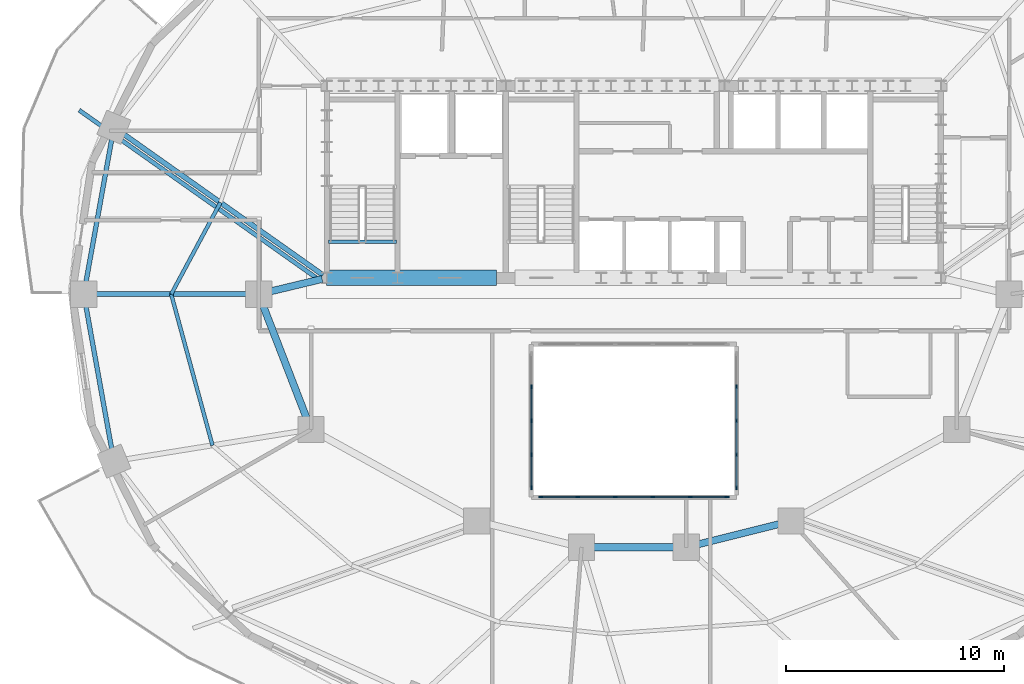
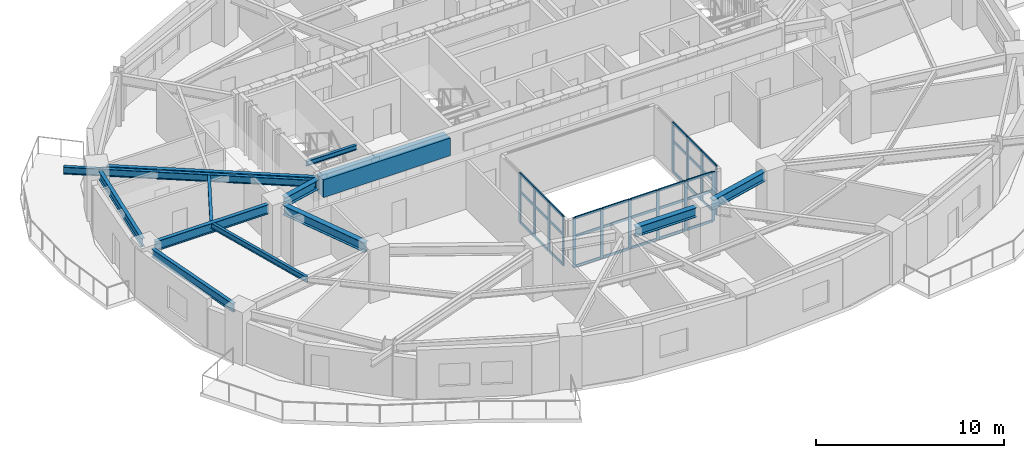
# One storey, part 2 of 13: 47 members, 13 beams, 3 elements without a shape of their own.
"""IFC4 building model written with IfcOpenShell, lengths in metres."""

from ifc_helpers import new_model, si_unit, direction, frame, origin, origin_2d, place, context, subcontext, project, spatial, rectangle, i_section, extrude, material, material_profile, profile_set, type_object, element, aggregate, save


model = new_model("IFC4")

# Units and contexts
model_context = context("Model", 3, precision=1e-05, world=origin(), true_north=direction((0.0, 1.0)))
body_context = subcontext(model_context, "Body", "Model", "MODEL_VIEW")
ifc_project = project(units=[si_unit("LENGTHUNIT", "METRE"), si_unit("AREAUNIT", "SQUARE_METRE"), si_unit("VOLUMEUNIT", "CUBIC_METRE"), si_unit("PLANEANGLEUNIT", "RADIAN"), si_unit("MASSUNIT", "GRAM", prefix="KILO")], contexts=[model_context])

# Site, building, storey
site_placement = place(None, origin())
site = spatial("IfcSite", under=ifc_project, at=site_placement, CompositionType="ELEMENT")
building_placement = place(site_placement, origin())
building = spatial("IfcBuilding", under=site, at=building_placement, Name="Haldorwick Loom Tower", CompositionType="ELEMENT")
storey_placement = place(building_placement, frame((0.0, 0.0, 135.64990234375)))
storey = spatial("IfcBuildingStorey", under=building, at=storey_placement, Name="L36", CompositionType="ELEMENT", Elevation=135.64990234375)

# Curtain wall, members
ifc_material_1 = material(Name="Thermally Broken Anodized Aluminium Curtain Wall Framing", Category="aluminium")
curtain_wall_type = type_object("IfcCurtainWallType", Name="ARC-CW-03", PredefinedType="NOTDEFINED", material=ifc_material_1)
curtain_wall_1_placement = place(storey_placement, origin())
curtain_wall_1 = element("IfcCurtainWall", 1, at=curtain_wall_1_placement, inside=storey, type_object=curtain_wall_type, Name="L36 Atrium Glazed Screen S", PredefinedType="NOTDEFINED")
ifc_material_profile_1 = material_profile(ifc_material_1, rectangle(XDim=0.06591796875, YDim=0.18505859375, at=origin_2d()), Name="ALU_MUL_66X185", Category="aluminium")
ifc_profile_set_1 = profile_set([ifc_material_profile_1], Name="Thermally Broken Anodized Aluminium Curtain Wall Framing")
member_type_1 = type_object("IfcMemberType", Name="ARC-CWM-03", PredefinedType="MULLION", material=ifc_profile_set_1)
member_1_placement = place(storey_placement, frame((40.26708984375, 16.699951171875, 0.0), z_axis=(0.0, 0.0, 1.0), x_axis=(0.0, -1.0, 0.0)))
member_1 = element("IfcMember", 2, at=member_1_placement, type_object=member_type_1, Name="CW-03 mullion 1", PredefinedType="MULLION", context=body_context, shape_type="SweptSolid", body=[
    extrude(rectangle(XDim=0.06591796875, YDim=0.18505859375, at=origin_2d()), origin(), (0.0, 0.0, 1.0), 3.210205078125),
])
member_2_placement = place(storey_placement, frame((38.580078125, 16.699951171875, 0.0), z_axis=(0.0, 0.0, 1.0), x_axis=(0.0, -1.0, 0.0)))
member_2 = element("IfcMember", 3, at=member_2_placement, type_object=member_type_1, Name="CW-03 mullion 2", PredefinedType="MULLION", context=body_context, shape_type="SweptSolid", body=[
    extrude(rectangle(XDim=0.06591796875, YDim=0.18505859375, at=origin_2d()), origin(), (0.0, 0.0, 1.0), 3.210205078125),
])
member_3_placement = place(storey_placement, frame((36.860107421875, 16.699951171875, 0.0), z_axis=(0.0, 0.0, 1.0), x_axis=(0.0, -1.0, 0.0)))
member_3 = element("IfcMember", 4, at=member_3_placement, type_object=member_type_1, Name="CW-03 mullion 3", PredefinedType="MULLION", context=body_context, shape_type="SweptSolid", body=[
    extrude(rectangle(XDim=0.06591796875, YDim=0.18505859375, at=origin_2d()), origin(), (0.0, 0.0, 1.0), 3.210205078125),
])
member_4_placement = place(storey_placement, frame((35.139892578125, 16.699951171875, 0.0), z_axis=(0.0, 0.0, 1.0), x_axis=(0.0, -1.0, 0.0)))
member_4 = element("IfcMember", 5, at=member_4_placement, type_object=member_type_1, Name="CW-03 mullion 4", PredefinedType="MULLION", context=body_context, shape_type="SweptSolid", body=[
    extrude(rectangle(XDim=0.06591796875, YDim=0.18505859375, at=origin_2d()), origin(), (0.0, 0.0, 1.0), 3.210205078125),
])
member_5_placement = place(storey_placement, frame((33.419921875, 16.699951171875, 0.0), z_axis=(0.0, 0.0, 1.0), x_axis=(0.0, -1.0, 0.0)))
member_5 = element("IfcMember", 6, at=member_5_placement, type_object=member_type_1, Name="CW-03 mullion 5", PredefinedType="MULLION", context=body_context, shape_type="SweptSolid", body=[
    extrude(rectangle(XDim=0.06591796875, YDim=0.18505859375, at=origin_2d()), origin(), (0.0, 0.0, 1.0), 3.210205078125),
])
member_6_placement = place(storey_placement, frame((31.73291015625, 16.699951171875, 0.0), z_axis=(0.0, 0.0, 1.0), x_axis=(0.0, -1.0, 0.0)))
member_6 = element("IfcMember", 7, at=member_6_placement, type_object=member_type_1, Name="CW-03 mullion 6", PredefinedType="MULLION", context=body_context, shape_type="SweptSolid", body=[
    extrude(rectangle(XDim=0.06591796875, YDim=0.18505859375, at=origin_2d()), origin(), (0.0, 0.0, 1.0), 3.210205078125),
])

curtain_wall_2_placement = place(storey_placement, origin())
curtain_wall_2 = element("IfcCurtainWall", 8, at=curtain_wall_2_placement, inside=storey, type_object=curtain_wall_type, Name="L36 Atrium Glazed Screen W", PredefinedType="NOTDEFINED")
member_7_placement = place(storey_placement, frame((31.300048828125, 17.133056640625, 0.0), z_axis=(0.0, 0.0, 1.0), x_axis=(-1.0, 0.0, 0.0)))
member_7 = element("IfcMember", 9, at=member_7_placement, type_object=member_type_1, Name="CW-03 mullion 1", PredefinedType="MULLION", context=body_context, shape_type="SweptSolid", body=[
    extrude(rectangle(XDim=0.06591796875, YDim=0.18505859375, at=origin_2d()), origin(), (0.0, 0.0, 1.0), 3.210205078125),
])
member_8_placement = place(storey_placement, frame((31.300048828125, 18.64990234375, 0.0), z_axis=(0.0, 0.0, 1.0), x_axis=(-1.0, 0.0, 0.0)))
member_8 = element("IfcMember", 10, at=member_8_placement, type_object=member_type_1, Name="CW-03 mullion 2", PredefinedType="MULLION", context=body_context, shape_type="SweptSolid", body=[
    extrude(rectangle(XDim=0.06591796875, YDim=0.18505859375, at=origin_2d()), origin(), (0.0, 0.0, 1.0), 3.210205078125),
])
member_9_placement = place(storey_placement, frame((31.300048828125, 20.199951171875, 0.0), z_axis=(0.0, 0.0, 1.0), x_axis=(-1.0, 0.0, 0.0)))
member_9 = element("IfcMember", 11, at=member_9_placement, type_object=member_type_1, Name="CW-03 mullion 3", PredefinedType="MULLION", context=body_context, shape_type="SweptSolid", body=[
    extrude(rectangle(XDim=0.06591796875, YDim=0.18505859375, at=origin_2d()), origin(), (0.0, 0.0, 1.0), 3.210205078125),
])
member_10_placement = place(storey_placement, frame((31.300048828125, 21.75, 0.0), z_axis=(0.0, 0.0, 1.0), x_axis=(-1.0, 0.0, 0.0)))
member_10 = element("IfcMember", 12, at=member_10_placement, type_object=member_type_1, Name="CW-03 mullion 4", PredefinedType="MULLION", context=body_context, shape_type="SweptSolid", body=[
    extrude(rectangle(XDim=0.06591796875, YDim=0.18505859375, at=origin_2d()), origin(), (0.0, 0.0, 1.0), 3.210205078125),
])

curtain_wall_3_placement = place(storey_placement, origin())
curtain_wall_3 = element("IfcCurtainWall", 13, at=curtain_wall_3_placement, inside=storey, type_object=curtain_wall_type, Name="L36 Atrium Glazed Screen E", PredefinedType="NOTDEFINED")
member_11_placement = place(storey_placement, frame((40.699951171875, 21.75, 0.0), z_axis=(0.0, 0.0, 1.0), x_axis=(1.0, 0.0, 0.0)))
member_11 = element("IfcMember", 14, at=member_11_placement, type_object=member_type_1, Name="CW-03 mullion 2", PredefinedType="MULLION", context=body_context, shape_type="SweptSolid", body=[
    extrude(rectangle(XDim=0.06591796875, YDim=0.18505859375, at=origin_2d()), origin(), (0.0, 0.0, 1.0), 3.210205078125),
])
member_12_placement = place(storey_placement, frame((40.699951171875, 20.199951171875, 0.0), z_axis=(0.0, 0.0, 1.0), x_axis=(1.0, 0.0, 0.0)))
member_12 = element("IfcMember", 15, at=member_12_placement, type_object=member_type_1, Name="CW-03 mullion 3", PredefinedType="MULLION", context=body_context, shape_type="SweptSolid", body=[
    extrude(rectangle(XDim=0.06591796875, YDim=0.18505859375, at=origin_2d()), origin(), (0.0, 0.0, 1.0), 3.210205078125),
])
member_13_placement = place(storey_placement, frame((40.699951171875, 18.64990234375, 0.0), z_axis=(0.0, 0.0, 1.0), x_axis=(1.0, 0.0, 0.0)))
member_13 = element("IfcMember", 16, at=member_13_placement, type_object=member_type_1, Name="CW-03 mullion 4", PredefinedType="MULLION", context=body_context, shape_type="SweptSolid", body=[
    extrude(rectangle(XDim=0.06591796875, YDim=0.18505859375, at=origin_2d()), origin(), (0.0, 0.0, 1.0), 3.210205078125),
])
member_14_placement = place(storey_placement, frame((40.699951171875, 17.133056640625, 0.0), z_axis=(0.0, 0.0, 1.0), x_axis=(1.0, 0.0, 0.0)))
member_14 = element("IfcMember", 17, at=member_14_placement, type_object=member_type_1, Name="CW-03 mullion 5", PredefinedType="MULLION", context=body_context, shape_type="SweptSolid", body=[
    extrude(rectangle(XDim=0.06591796875, YDim=0.18505859375, at=origin_2d()), origin(), (0.0, 0.0, 1.0), 3.210205078125),
])

# Member
ifc_material_profile_2 = material_profile(ifc_material_1, rectangle(XDim=0.06591796875, YDim=0.1650390625, at=origin_2d()), Name="ALU_TRN_66X165", Category="aluminium")
ifc_profile_set_2 = profile_set([ifc_material_profile_2], Name="Thermally Broken Anodized Aluminium Curtain Wall Framing")
member_type_2 = type_object("IfcMemberType", Name="ARC-CWT-03", PredefinedType="USERDEFINED", material=ifc_profile_set_2)
member_15_placement = place(storey_placement, frame((40.23388671875, 16.699951171875, 0.033203125), z_axis=(-1.0, 0.0, 0.0), x_axis=(0.0, -1.0, 0.0)))
member_15 = element("IfcMember", 18, at=member_15_placement, type_object=member_type_2, Name="CW-03 transom 1.1", ObjectType="TRANSOM", PredefinedType="USERDEFINED", context=body_context, shape_type="SweptSolid", body=[
    extrude(rectangle(XDim=0.06591796875, YDim=0.1650390625, at=origin_2d()), origin(), (0.0, 0.0, 1.0), 1.620849609375),
])

member_16_placement = place(storey_placement, frame((40.23388671875, 16.699951171875, 2.0), z_axis=(-1.0, 0.0, 0.0), x_axis=(0.0, -1.0, 0.0)))
member_16 = element("IfcMember", 19, at=member_16_placement, type_object=member_type_2, Name="CW-03 transom 1.2", ObjectType="TRANSOM", PredefinedType="USERDEFINED", context=body_context, shape_type="SweptSolid", body=[
    extrude(rectangle(XDim=0.06591796875, YDim=0.1650390625, at=origin_2d()), origin(), (0.0, 0.0, 1.0), 1.620849609375),
])

member_17_placement = place(storey_placement, frame((40.23388671875, 16.699951171875, 3.177001953125), z_axis=(-1.0, 0.0, 0.0), x_axis=(0.0, -1.0, 0.0)))
member_17 = element("IfcMember", 20, at=member_17_placement, type_object=member_type_2, Name="CW-03 transom 1.3", ObjectType="TRANSOM", PredefinedType="USERDEFINED", context=body_context, shape_type="SweptSolid", body=[
    extrude(rectangle(XDim=0.06591796875, YDim=0.1650390625, at=origin_2d()), origin(), (0.0, 0.0, 1.0), 1.620849609375),
])

member_18_placement = place(storey_placement, frame((38.547119140625, 16.699951171875, 0.033203125), z_axis=(-1.0, 0.0, 0.0), x_axis=(0.0, -1.0, 0.0)))
member_18 = element("IfcMember", 21, at=member_18_placement, type_object=member_type_2, Name="CW-03 transom 2.1", ObjectType="TRANSOM", PredefinedType="USERDEFINED", context=body_context, shape_type="SweptSolid", body=[
    extrude(rectangle(XDim=0.06591796875, YDim=0.1650390625, at=origin_2d()), origin(), (0.0, 0.0, 1.0), 1.654052734375),
])

member_19_placement = place(storey_placement, frame((38.547119140625, 16.699951171875, 2.0), z_axis=(-1.0, 0.0, 0.0), x_axis=(0.0, -1.0, 0.0)))
member_19 = element("IfcMember", 22, at=member_19_placement, type_object=member_type_2, Name="CW-03 transom 2.2", ObjectType="TRANSOM", PredefinedType="USERDEFINED", context=body_context, shape_type="SweptSolid", body=[
    extrude(rectangle(XDim=0.06591796875, YDim=0.1650390625, at=origin_2d()), origin(), (0.0, 0.0, 1.0), 1.654052734375),
])

member_20_placement = place(storey_placement, frame((38.547119140625, 16.699951171875, 3.177001953125), z_axis=(-1.0, 0.0, 0.0), x_axis=(0.0, -1.0, 0.0)))
member_20 = element("IfcMember", 23, at=member_20_placement, type_object=member_type_2, Name="CW-03 transom 2.3", ObjectType="TRANSOM", PredefinedType="USERDEFINED", context=body_context, shape_type="SweptSolid", body=[
    extrude(rectangle(XDim=0.06591796875, YDim=0.1650390625, at=origin_2d()), origin(), (0.0, 0.0, 1.0), 1.654052734375),
])

member_21_placement = place(storey_placement, frame((36.826904296875, 16.699951171875, 0.033203125), z_axis=(-1.0, 0.0, 0.0), x_axis=(0.0, -1.0, 0.0)))
member_21 = element("IfcMember", 24, at=member_21_placement, type_object=member_type_2, Name="CW-03 transom 3.1", ObjectType="TRANSOM", PredefinedType="USERDEFINED", context=body_context, shape_type="SweptSolid", body=[
    extrude(rectangle(XDim=0.06591796875, YDim=0.1650390625, at=origin_2d()), origin(), (0.0, 0.0, 1.0), 1.65380859375),
])

member_22_placement = place(storey_placement, frame((36.826904296875, 16.699951171875, 2.0), z_axis=(-1.0, 0.0, 0.0), x_axis=(0.0, -1.0, 0.0)))
member_22 = element("IfcMember", 25, at=member_22_placement, type_object=member_type_2, Name="CW-03 transom 3.2", ObjectType="TRANSOM", PredefinedType="USERDEFINED", context=body_context, shape_type="SweptSolid", body=[
    extrude(rectangle(XDim=0.06591796875, YDim=0.1650390625, at=origin_2d()), origin(), (0.0, 0.0, 1.0), 1.65380859375),
])

member_23_placement = place(storey_placement, frame((36.826904296875, 16.699951171875, 3.177001953125), z_axis=(-1.0, 0.0, 0.0), x_axis=(0.0, -1.0, 0.0)))
member_23 = element("IfcMember", 26, at=member_23_placement, type_object=member_type_2, Name="CW-03 transom 3.3", ObjectType="TRANSOM", PredefinedType="USERDEFINED", context=body_context, shape_type="SweptSolid", body=[
    extrude(rectangle(XDim=0.06591796875, YDim=0.1650390625, at=origin_2d()), origin(), (0.0, 0.0, 1.0), 1.65380859375),
])

member_24_placement = place(storey_placement, frame((35.10693359375, 16.699951171875, 0.033203125), z_axis=(-1.0, 0.0, 0.0), x_axis=(0.0, -1.0, 0.0)))
member_24 = element("IfcMember", 27, at=member_24_placement, type_object=member_type_2, Name="CW-03 transom 4.1", ObjectType="TRANSOM", PredefinedType="USERDEFINED", context=body_context, shape_type="SweptSolid", body=[
    extrude(rectangle(XDim=0.06591796875, YDim=0.1650390625, at=origin_2d()), origin(), (0.0, 0.0, 1.0), 1.654052734375),
])

member_25_placement = place(storey_placement, frame((35.10693359375, 16.699951171875, 2.0), z_axis=(-1.0, 0.0, 0.0), x_axis=(0.0, -1.0, 0.0)))
member_25 = element("IfcMember", 28, at=member_25_placement, type_object=member_type_2, Name="CW-03 transom 4.2", ObjectType="TRANSOM", PredefinedType="USERDEFINED", context=body_context, shape_type="SweptSolid", body=[
    extrude(rectangle(XDim=0.06591796875, YDim=0.1650390625, at=origin_2d()), origin(), (0.0, 0.0, 1.0), 1.654052734375),
])

member_26_placement = place(storey_placement, frame((35.10693359375, 16.699951171875, 3.177001953125), z_axis=(-1.0, 0.0, 0.0), x_axis=(0.0, -1.0, 0.0)))
member_26 = element("IfcMember", 29, at=member_26_placement, type_object=member_type_2, Name="CW-03 transom 4.3", ObjectType="TRANSOM", PredefinedType="USERDEFINED", context=body_context, shape_type="SweptSolid", body=[
    extrude(rectangle(XDim=0.06591796875, YDim=0.1650390625, at=origin_2d()), origin(), (0.0, 0.0, 1.0), 1.654052734375),
])

member_27_placement = place(storey_placement, frame((33.386962890625, 16.699951171875, 0.033203125), z_axis=(-1.0, 0.0, 0.0), x_axis=(0.0, -1.0, 0.0)))
member_27 = element("IfcMember", 30, at=member_27_placement, type_object=member_type_2, Name="CW-03 transom 5.1", ObjectType="TRANSOM", PredefinedType="USERDEFINED", context=body_context, shape_type="SweptSolid", body=[
    extrude(rectangle(XDim=0.06591796875, YDim=0.1650390625, at=origin_2d()), origin(), (0.0, 0.0, 1.0), 1.620849609375),
])

member_28_placement = place(storey_placement, frame((33.386962890625, 16.699951171875, 2.0), z_axis=(-1.0, 0.0, 0.0), x_axis=(0.0, -1.0, 0.0)))
member_28 = element("IfcMember", 31, at=member_28_placement, type_object=member_type_2, Name="CW-03 transom 5.2", ObjectType="TRANSOM", PredefinedType="USERDEFINED", context=body_context, shape_type="SweptSolid", body=[
    extrude(rectangle(XDim=0.06591796875, YDim=0.1650390625, at=origin_2d()), origin(), (0.0, 0.0, 1.0), 1.620849609375),
])

member_29_placement = place(storey_placement, frame((33.386962890625, 16.699951171875, 3.177001953125), z_axis=(-1.0, 0.0, 0.0), x_axis=(0.0, -1.0, 0.0)))
member_29 = element("IfcMember", 32, at=member_29_placement, type_object=member_type_2, Name="CW-03 transom 5.3", ObjectType="TRANSOM", PredefinedType="USERDEFINED", context=body_context, shape_type="SweptSolid", body=[
    extrude(rectangle(XDim=0.06591796875, YDim=0.1650390625, at=origin_2d()), origin(), (0.0, 0.0, 1.0), 1.620849609375),
])

aggregate(curtain_wall_1, [member_1, member_2, member_3, member_4, member_5, member_6, member_15, member_16, member_17, member_18, member_19, member_20, member_21, member_22, member_23, member_24, member_25, member_26, member_27, member_28, member_29])

member_30_placement = place(storey_placement, frame((31.300048828125, 17.166015625, 0.033203125), z_axis=(0.0, 1.0, 0.0), x_axis=(-1.0, 0.0, 0.0)))
member_30 = element("IfcMember", 33, at=member_30_placement, type_object=member_type_2, Name="CW-03 transom 1.1", ObjectType="TRANSOM", PredefinedType="USERDEFINED", context=body_context, shape_type="SweptSolid", body=[
    extrude(rectangle(XDim=0.06591796875, YDim=0.1650390625, at=origin_2d()), origin(), (0.0, 0.0, 1.0), 1.450927734375),
])

member_31_placement = place(storey_placement, frame((31.300048828125, 17.166015625, 2.0), z_axis=(0.0, 1.0, 0.0), x_axis=(-1.0, 0.0, 0.0)))
member_31 = element("IfcMember", 34, at=member_31_placement, type_object=member_type_2, Name="CW-03 transom 1.2", ObjectType="TRANSOM", PredefinedType="USERDEFINED", context=body_context, shape_type="SweptSolid", body=[
    extrude(rectangle(XDim=0.06591796875, YDim=0.1650390625, at=origin_2d()), origin(), (0.0, 0.0, 1.0), 1.450927734375),
])

member_32_placement = place(storey_placement, frame((31.300048828125, 17.166015625, 3.177001953125), z_axis=(0.0, 1.0, 0.0), x_axis=(-1.0, 0.0, 0.0)))
member_32 = element("IfcMember", 35, at=member_32_placement, type_object=member_type_2, Name="CW-03 transom 1.3", ObjectType="TRANSOM", PredefinedType="USERDEFINED", context=body_context, shape_type="SweptSolid", body=[
    extrude(rectangle(XDim=0.06591796875, YDim=0.1650390625, at=origin_2d()), origin(), (0.0, 0.0, 1.0), 1.450927734375),
])

member_33_placement = place(storey_placement, frame((31.300048828125, 18.68310546875, 0.033203125), z_axis=(0.0, 1.0, 0.0), x_axis=(-1.0, 0.0, 0.0)))
member_33 = element("IfcMember", 36, at=member_33_placement, type_object=member_type_2, Name="CW-03 transom 2.1", ObjectType="TRANSOM", PredefinedType="USERDEFINED", context=body_context, shape_type="SweptSolid", body=[
    extrude(rectangle(XDim=0.06591796875, YDim=0.1650390625, at=origin_2d()), origin(), (0.0, 0.0, 1.0), 1.48388671875),
])

member_34_placement = place(storey_placement, frame((31.300048828125, 18.68310546875, 2.0), z_axis=(0.0, 1.0, 0.0), x_axis=(-1.0, 0.0, 0.0)))
member_34 = element("IfcMember", 37, at=member_34_placement, type_object=member_type_2, Name="CW-03 transom 2.2", ObjectType="TRANSOM", PredefinedType="USERDEFINED", context=body_context, shape_type="SweptSolid", body=[
    extrude(rectangle(XDim=0.06591796875, YDim=0.1650390625, at=origin_2d()), origin(), (0.0, 0.0, 1.0), 1.48388671875),
])

member_35_placement = place(storey_placement, frame((31.300048828125, 18.68310546875, 3.177001953125), z_axis=(0.0, 1.0, 0.0), x_axis=(-1.0, 0.0, 0.0)))
member_35 = element("IfcMember", 38, at=member_35_placement, type_object=member_type_2, Name="CW-03 transom 2.3", ObjectType="TRANSOM", PredefinedType="USERDEFINED", context=body_context, shape_type="SweptSolid", body=[
    extrude(rectangle(XDim=0.06591796875, YDim=0.1650390625, at=origin_2d()), origin(), (0.0, 0.0, 1.0), 1.48388671875),
])

member_36_placement = place(storey_placement, frame((31.300048828125, 20.23291015625, 0.033203125), z_axis=(0.0, 1.0, 0.0), x_axis=(-1.0, 0.0, 0.0)))
member_36 = element("IfcMember", 39, at=member_36_placement, type_object=member_type_2, Name="CW-03 transom 3.1", ObjectType="TRANSOM", PredefinedType="USERDEFINED", context=body_context, shape_type="SweptSolid", body=[
    extrude(rectangle(XDim=0.06591796875, YDim=0.1650390625, at=origin_2d()), origin(), (0.0, 0.0, 1.0), 1.484130859375),
])

member_37_placement = place(storey_placement, frame((31.300048828125, 20.23291015625, 2.0), z_axis=(0.0, 1.0, 0.0), x_axis=(-1.0, 0.0, 0.0)))
member_37 = element("IfcMember", 40, at=member_37_placement, type_object=member_type_2, Name="CW-03 transom 3.2", ObjectType="TRANSOM", PredefinedType="USERDEFINED", context=body_context, shape_type="SweptSolid", body=[
    extrude(rectangle(XDim=0.06591796875, YDim=0.1650390625, at=origin_2d()), origin(), (0.0, 0.0, 1.0), 1.484130859375),
])

member_38_placement = place(storey_placement, frame((31.300048828125, 20.23291015625, 3.177001953125), z_axis=(0.0, 1.0, 0.0), x_axis=(-1.0, 0.0, 0.0)))
member_38 = element("IfcMember", 41, at=member_38_placement, type_object=member_type_2, Name="CW-03 transom 3.3", ObjectType="TRANSOM", PredefinedType="USERDEFINED", context=body_context, shape_type="SweptSolid", body=[
    extrude(rectangle(XDim=0.06591796875, YDim=0.1650390625, at=origin_2d()), origin(), (0.0, 0.0, 1.0), 1.484130859375),
])

aggregate(curtain_wall_2, [member_7, member_8, member_9, member_10, member_30, member_31, member_32, member_33, member_34, member_35, member_36, member_37, member_38])

member_39_placement = place(storey_placement, frame((40.699951171875, 21.717041015625, 0.033203125), z_axis=(0.0, -1.0, 0.0), x_axis=(1.0, 0.0, 0.0)))
member_39 = element("IfcMember", 42, at=member_39_placement, type_object=member_type_2, Name="CW-03 transom 2.1", ObjectType="TRANSOM", PredefinedType="USERDEFINED", context=body_context, shape_type="SweptSolid", body=[
    extrude(rectangle(XDim=0.06591796875, YDim=0.1650390625, at=origin_2d()), origin(), (0.0, 0.0, 1.0), 1.484130859375),
])

member_40_placement = place(storey_placement, frame((40.699951171875, 21.717041015625, 2.0), z_axis=(0.0, -1.0, 0.0), x_axis=(1.0, 0.0, 0.0)))
member_40 = element("IfcMember", 43, at=member_40_placement, type_object=member_type_2, Name="CW-03 transom 2.2", ObjectType="TRANSOM", PredefinedType="USERDEFINED", context=body_context, shape_type="SweptSolid", body=[
    extrude(rectangle(XDim=0.06591796875, YDim=0.1650390625, at=origin_2d()), origin(), (0.0, 0.0, 1.0), 1.484130859375),
])

member_41_placement = place(storey_placement, frame((40.699951171875, 21.717041015625, 3.177001953125), z_axis=(0.0, -1.0, 0.0), x_axis=(1.0, 0.0, 0.0)))
member_41 = element("IfcMember", 44, at=member_41_placement, type_object=member_type_2, Name="CW-03 transom 2.3", ObjectType="TRANSOM", PredefinedType="USERDEFINED", context=body_context, shape_type="SweptSolid", body=[
    extrude(rectangle(XDim=0.06591796875, YDim=0.1650390625, at=origin_2d()), origin(), (0.0, 0.0, 1.0), 1.484130859375),
])

member_42_placement = place(storey_placement, frame((40.699951171875, 20.1669921875, 0.033203125), z_axis=(0.0, -1.0, 0.0), x_axis=(1.0, 0.0, 0.0)))
member_42 = element("IfcMember", 45, at=member_42_placement, type_object=member_type_2, Name="CW-03 transom 3.1", ObjectType="TRANSOM", PredefinedType="USERDEFINED", context=body_context, shape_type="SweptSolid", body=[
    extrude(rectangle(XDim=0.06591796875, YDim=0.1650390625, at=origin_2d()), origin(), (0.0, 0.0, 1.0), 1.48388671875),
])

member_43_placement = place(storey_placement, frame((40.699951171875, 20.1669921875, 2.0), z_axis=(0.0, -1.0, 0.0), x_axis=(1.0, 0.0, 0.0)))
member_43 = element("IfcMember", 46, at=member_43_placement, type_object=member_type_2, Name="CW-03 transom 3.2", ObjectType="TRANSOM", PredefinedType="USERDEFINED", context=body_context, shape_type="SweptSolid", body=[
    extrude(rectangle(XDim=0.06591796875, YDim=0.1650390625, at=origin_2d()), origin(), (0.0, 0.0, 1.0), 1.48388671875),
])

member_44_placement = place(storey_placement, frame((40.699951171875, 20.1669921875, 3.177001953125), z_axis=(0.0, -1.0, 0.0), x_axis=(1.0, 0.0, 0.0)))
member_44 = element("IfcMember", 47, at=member_44_placement, type_object=member_type_2, Name="CW-03 transom 3.3", ObjectType="TRANSOM", PredefinedType="USERDEFINED", context=body_context, shape_type="SweptSolid", body=[
    extrude(rectangle(XDim=0.06591796875, YDim=0.1650390625, at=origin_2d()), origin(), (0.0, 0.0, 1.0), 1.48388671875),
])

member_45_placement = place(storey_placement, frame((40.699951171875, 18.616943359375, 0.033203125), z_axis=(0.0, -1.0, 0.0), x_axis=(1.0, 0.0, 0.0)))
member_45 = element("IfcMember", 48, at=member_45_placement, type_object=member_type_2, Name="CW-03 transom 4.1", ObjectType="TRANSOM", PredefinedType="USERDEFINED", context=body_context, shape_type="SweptSolid", body=[
    extrude(rectangle(XDim=0.06591796875, YDim=0.1650390625, at=origin_2d()), origin(), (0.0, 0.0, 1.0), 1.450927734375),
])

member_46_placement = place(storey_placement, frame((40.699951171875, 18.616943359375, 2.0), z_axis=(0.0, -1.0, 0.0), x_axis=(1.0, 0.0, 0.0)))
member_46 = element("IfcMember", 49, at=member_46_placement, type_object=member_type_2, Name="CW-03 transom 4.2", ObjectType="TRANSOM", PredefinedType="USERDEFINED", context=body_context, shape_type="SweptSolid", body=[
    extrude(rectangle(XDim=0.06591796875, YDim=0.1650390625, at=origin_2d()), origin(), (0.0, 0.0, 1.0), 1.450927734375),
])

member_47_placement = place(storey_placement, frame((40.699951171875, 18.616943359375, 3.177001953125), z_axis=(0.0, -1.0, 0.0), x_axis=(1.0, 0.0, 0.0)))
member_47 = element("IfcMember", 50, at=member_47_placement, type_object=member_type_2, Name="CW-03 transom 4.3", ObjectType="TRANSOM", PredefinedType="USERDEFINED", context=body_context, shape_type="SweptSolid", body=[
    extrude(rectangle(XDim=0.06591796875, YDim=0.1650390625, at=origin_2d()), origin(), (0.0, 0.0, 1.0), 1.450927734375),
])

aggregate(curtain_wall_3, [member_11, member_12, member_13, member_14, member_39, member_40, member_41, member_42, member_43, member_44, member_45, member_46, member_47])

# Beams
ifc_material_2 = material(Name="Steel CSA G40.21 350W", Category="steel")
ifc_material_profile_3 = material_profile(ifc_material_2, i_section(OverallWidth=0.193115234375, OverallDepth=0.466064453125, WebThickness=0.011474609375, FlangeThickness=0.01904296875, at=origin_2d()), Name="W460X97", Category="steel")
ifc_profile_set_3 = profile_set([ifc_material_profile_3], Name="Steel CSA G40.21 350W")
beam_type_1 = type_object("IfcBeamType", Name="STR-BM-BAL460", PredefinedType="BEAM", material=ifc_profile_set_3)
beam_1_placement = place(storey_placement, frame((21.584716796875, 26.651123046875, 2.97705078125), z_axis=(-0.816570288691, 0.577246016554, 0.0), x_axis=(-0.577246016554, -0.816570288691, 0.0)))
element("IfcBeam", 51, at=beam_1_placement, inside=storey, type_object=beam_type_1, Name="L36 Continuous Back-Spanned Balcony Beam 3", PredefinedType="BEAM", context=body_context, shape_type="SweptSolid", body=[
    extrude(i_section(OverallWidth=0.193115234375, OverallDepth=0.466064453125, WebThickness=0.011474609375, FlangeThickness=0.01904296875, at=origin_2d()), origin(), (0.0, 0.0, 1.0), 13.485107421875),
])
ifc_material_3 = material(Name="Concrete C60 (60 MPa)", Category="concrete")
ifc_material_profile_4 = material_profile(ifc_material_3, rectangle(XDim=0.699951171875, YDim=1.14990234375, at=origin_2d()), Name="RC700X1150", Category="concrete")
ifc_profile_set_4 = profile_set([ifc_material_profile_4], Name="Concrete C60 (60 MPa)")
beam_type_2 = type_object("IfcBeamType", Name="STR-BM-CB1150", PredefinedType="LINTEL", material=ifc_profile_set_4)
beam_2_placement = place(storey_placement, frame((21.89990234375, 26.75, 2.635009765625), z_axis=(1.0, 0.0, 0.0), x_axis=(0.0, 1.0, 0.0)))
element("IfcBeam", 52, at=beam_2_placement, inside=storey, type_object=beam_type_2, Name="L36 Core Coupling Beam CB-S1", PredefinedType="LINTEL", context=body_context, shape_type="SweptSolid", body=[
    extrude(rectangle(XDim=0.699951171875, YDim=1.14990234375, at=origin_2d()), origin(), (0.0, 0.0, 1.0), 7.800048828125),
])
ifc_material_profile_5 = material_profile(ifc_material_2, i_section(OverallWidth=0.172119140625, OverallDepth=0.35791015625, WebThickness=0.0078125, FlangeThickness=0.01318359375, at=origin_2d()), Name="W360X57", Category="steel")
ifc_profile_set_5 = profile_set([ifc_material_profile_5], Name="Steel CSA G40.21 350W")
beam_type_3 = type_object("IfcBeamType", Name="STR-BM-J360", PredefinedType="JOIST", material=ifc_profile_set_5)
beam_3_placement = place(storey_placement, frame((17.046875, 30.201904296875, 3.031005859375), z_axis=(-0.472930162238, -0.881099915813, 0.0), x_axis=(0.881099915813, -0.472930162238, 0.0)))
element("IfcBeam", 53, at=beam_3_placement, inside=storey, type_object=beam_type_3, Name="L36 Mid-Bay Secondary Joist 8", PredefinedType="JOIST", context=body_context, shape_type="SweptSolid", body=[
    extrude(i_section(OverallWidth=0.172119140625, OverallDepth=0.35791015625, WebThickness=0.0078125, FlangeThickness=0.01318359375, at=origin_2d()), origin(), (0.0, 0.0, 1.0), 4.76904296875),
])
beam_4_placement = place(storey_placement, frame((14.79150390625, 26.0, 3.031005859375), z_axis=(0.263272762578, -0.964721437766, 0.0), x_axis=(0.964721437766, 0.263272762578, 0.0)))
element("IfcBeam", 54, at=beam_4_placement, inside=storey, type_object=beam_type_3, Name="L36 Mid-Bay Secondary Joist 9", PredefinedType="JOIST", context=body_context, shape_type="SweptSolid", body=[
    extrude(i_section(OverallWidth=0.172119140625, OverallDepth=0.35791015625, WebThickness=0.0078125, FlangeThickness=0.01318359375, at=origin_2d()), origin(), (0.0, 0.0, 1.0), 7.180419921875),
])
ifc_material_profile_6 = material_profile(ifc_material_2, i_section(OverallWidth=0.2119140625, OverallDepth=0.5439453125, WebThickness=0.01318359375, FlangeThickness=0.021240234375, at=origin_2d()), Name="W530X123", Category="steel")
ifc_profile_set_6 = profile_set([ifc_material_profile_6], Name="Steel CSA G40.21 350W")
beam_type_4 = type_object("IfcBeamType", Name="STR-BM-SP530", PredefinedType="SPANDREL", material=ifc_profile_set_6)
for number, where, z_axis, x_axis, name in (
    (55, (12.071533203125, 33.14208984375, 2.93798828125), (-0.177558730702, -0.984110205796, 0.0), (0.984110205796, -0.177558730702, 0.0), "L36 Perimeter Spandrel 8"),
    (56, (10.875244140625, 25.48828125, 2.93798828125), (0.177558730702, -0.984110205796, 0.0), (0.984110205796, 0.177558730702, 0.0), "L36 Perimeter Spandrel 9"),
):
    element("IfcBeam", number, at=place(storey_placement, frame(where, z_axis=z_axis, x_axis=x_axis)), inside=storey, type_object=beam_type_4, Name=name, PredefinedType="SPANDREL", context=body_context, shape_type="SweptSolid", body=[
        extrude(i_section(OverallWidth=0.2119140625, OverallDepth=0.5439453125, WebThickness=0.01318359375, FlangeThickness=0.021240234375, at=origin_2d()), origin(), (0.0, 0.0, 1.0), 6.737548828125),
    ])
ifc_material_profile_7 = material_profile(ifc_material_2, i_section(OverallWidth=0.166015625, OverallDepth=0.31298828125, WebThickness=0.006591796875, FlangeThickness=0.01123046875, at=origin_2d()), Name="W310X45", Category="steel")
ifc_profile_set_7 = profile_set([ifc_material_profile_7], Name="Steel CSA G40.21 350W")
beam_type_5 = type_object("IfcBeamType", Name="STR-BM-STRM", PredefinedType="BEAM", material=ifc_profile_set_7)
beam_5_placement = place(storey_placement, frame((21.989990234375, 28.39990234375, 3.0537109375), z_axis=(1.0, 0.0, 0.0), x_axis=(0.0, 1.0, 0.0)))
element("IfcBeam", 57, at=beam_5_placement, inside=storey, type_object=beam_type_5, Name="L36 Stair ST-01 Landing Edge Trimmer", PredefinedType="BEAM", context=body_context, shape_type="SweptSolid", body=[
    extrude(i_section(OverallWidth=0.166015625, OverallDepth=0.31298828125, WebThickness=0.006591796875, FlangeThickness=0.01123046875, at=origin_2d()), origin(), (0.0, 0.0, 1.0), 3.1201171875),
])
ifc_material_profile_8 = material_profile(ifc_material_2, i_section(OverallWidth=0.324951171875, OverallDepth=0.615966796875, WebThickness=0.013916015625, FlangeThickness=0.021484375, at=origin_2d()), Name="W610X174", Category="steel")
ifc_profile_set_8 = profile_set([ifc_material_profile_8], Name="Steel CSA G40.21 350W")
beam_type_6 = type_object("IfcBeamType", Name="STR-BM-W610A", PredefinedType="BEAM", material=ifc_profile_set_8)
beam_6_placement = place(storey_placement, frame((42.695556640625, 15.473876953125, 2.902099609375), z_axis=(-0.970142500145, -0.242535625036, 0.0), x_axis=(0.242535625036, -0.970142500145, 0.0)))
element("IfcBeam", 58, at=beam_6_placement, inside=storey, type_object=beam_type_6, Name="L36 Inner Ring Girder 4", PredefinedType="BEAM", context=body_context, shape_type="SweptSolid", body=[
    extrude(i_section(OverallWidth=0.324951171875, OverallDepth=0.615966796875, WebThickness=0.013916015625, FlangeThickness=0.021484375, at=origin_2d()), origin(), (0.0, 0.0, 1.0), 3.90771484375),
])
beam_7_placement = place(storey_placement, frame((37.8798828125, 14.39990234375, 2.902099609375), z_axis=(-1.0, 0.0, 0.0), x_axis=(0.0, -1.0, 0.0)))
element("IfcBeam", 59, at=beam_7_placement, inside=storey, type_object=beam_type_6, Name="L36 Inner Ring Girder 5", PredefinedType="BEAM", context=body_context, shape_type="SweptSolid", body=[
    extrude(i_section(OverallWidth=0.324951171875, OverallDepth=0.615966796875, WebThickness=0.013916015625, FlangeThickness=0.021484375, at=origin_2d()), origin(), (0.0, 0.0, 1.0), 3.759765625),
])
beam_8_placement = place(storey_placement, frame((21.01220703125, 20.284912109375, 2.902099609375), z_axis=(-0.360964792353, 0.93257944363, 0.0), x_axis=(-0.93257944363, -0.360964792353, 0.0)))
element("IfcBeam", 60, at=beam_8_placement, inside=storey, type_object=beam_type_6, Name="L36 Inner Ring Girder 8", PredefinedType="BEAM", context=body_context, shape_type="SweptSolid", body=[
    extrude(i_section(OverallWidth=0.324951171875, OverallDepth=0.615966796875, WebThickness=0.013916015625, FlangeThickness=0.021484375, at=origin_2d()), origin(), (0.0, 0.0, 1.0), 5.6083984375),
])
beam_9_placement = place(storey_placement, frame((19.3056640625, 26.12109375, 2.902099609375), z_axis=(0.97247055837, 0.233025777764, 0.0), x_axis=(-0.233025777764, 0.97247055837, 0.0)))
element("IfcBeam", 61, at=beam_9_placement, inside=storey, type_object=beam_type_6, Name="L36 Inner Ring Girder 9", PredefinedType="BEAM", context=body_context, shape_type="SweptSolid", body=[
    extrude(i_section(OverallWidth=0.324951171875, OverallDepth=0.615966796875, WebThickness=0.013916015625, FlangeThickness=0.021484375, at=origin_2d()), origin(), (0.0, 0.0, 1.0), 2.4736328125),
])
ifc_material_profile_9 = material_profile(ifc_material_2, i_section(OverallWidth=0.22998046875, OverallDepth=0.616943359375, WebThickness=0.01318359375, FlangeThickness=0.022216796875, at=origin_2d()), Name="W610X140", Category="steel")
ifc_profile_set_9 = profile_set([ifc_material_profile_9], Name="Steel CSA G40.21 350W")
beam_type_7 = type_object("IfcBeamType", Name="STR-BM-W610B", PredefinedType="BEAM", material=ifc_profile_set_9)
beam_10_placement = place(storey_placement, frame((21.746337890625, 26.8798828125, 2.901611328125), z_axis=(-0.816581567299, 0.577230061542, 0.0), x_axis=(-0.577230061542, -0.816581567299, 0.0)))
element("IfcBeam", 62, at=beam_10_placement, inside=storey, type_object=beam_type_7, Name="L36 Radial Floor Girder 8", PredefinedType="BEAM", context=body_context, shape_type="SweptSolid", body=[
    extrude(i_section(OverallWidth=0.22998046875, OverallDepth=0.616943359375, WebThickness=0.01318359375, FlangeThickness=0.022216796875, at=origin_2d()), origin(), (0.0, 0.0, 1.0), 11.215087890625),
])
beam_11_placement = place(storey_placement, frame((18.280029296875, 26.0, 2.901611328125), z_axis=(-1.0, 0.0, 0.0), x_axis=(0.0, -1.0, 0.0)))
element("IfcBeam", 63, at=beam_11_placement, inside=storey, type_object=beam_type_7, Name="L36 Radial Floor Girder 9", PredefinedType="BEAM", context=body_context, shape_type="SweptSolid", body=[
    extrude(i_section(OverallWidth=0.22998046875, OverallDepth=0.616943359375, WebThickness=0.01318359375, FlangeThickness=0.022216796875, at=origin_2d()), origin(), (0.0, 0.0, 1.0), 6.97705078125),
])

save(model, "model.ifc")
